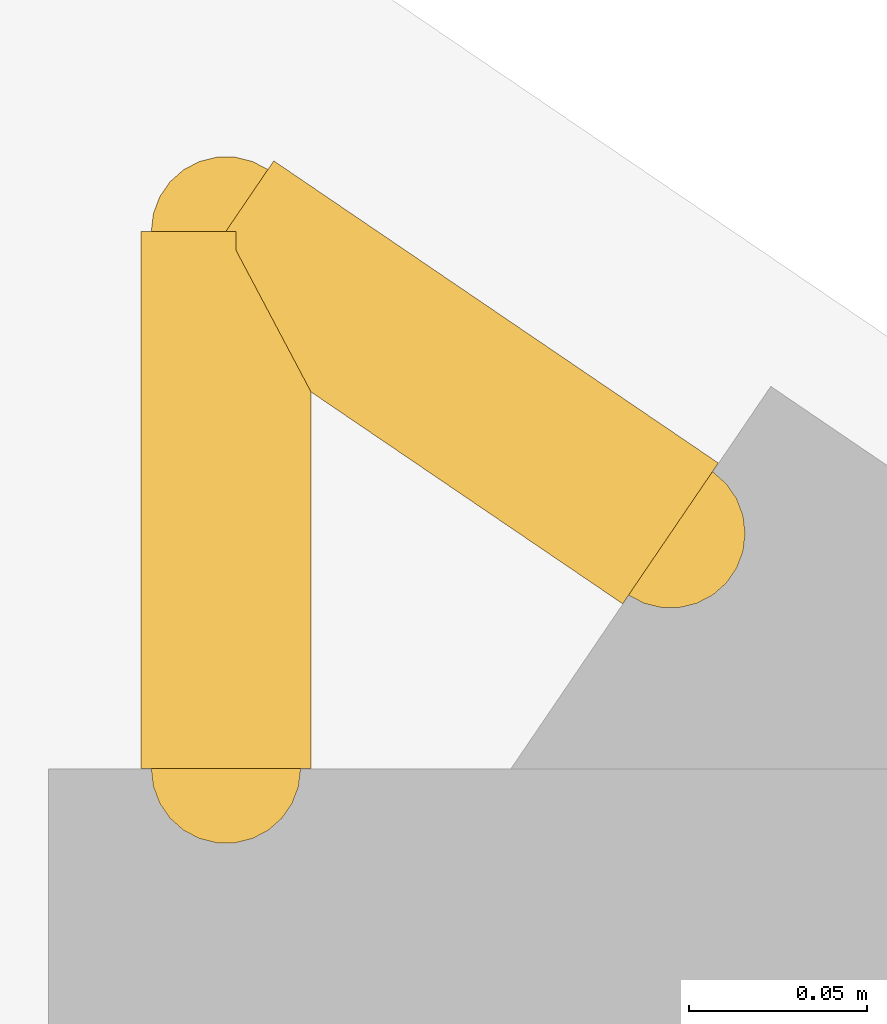
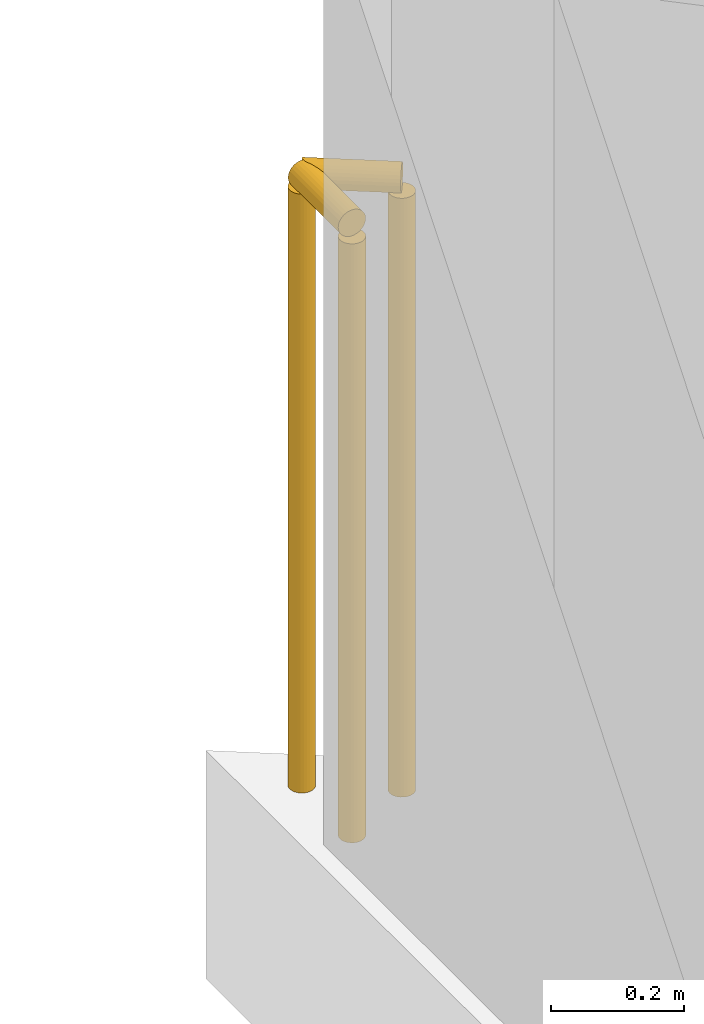
# One storey, part 19 of 20: 2 railings.
"""IFC4 building model written with IfcOpenShell, lengths in metres."""

from ifc_helpers import new_model, si_unit, direction, frame, origin, origin_2d, place, context, subcontext, project, spatial, circle, extrude, material, type_object, element, save


model = new_model("IFC4")

# Units and contexts
model_context = context("Model", 3, precision=1e-05, world=origin(), true_north=direction((0.0, 1.0)))
body_context = subcontext(model_context, "Body", "Model", "MODEL_VIEW")
ifc_project = project(units=[si_unit("LENGTHUNIT", "METRE"), si_unit("AREAUNIT", "SQUARE_METRE"), si_unit("VOLUMEUNIT", "CUBIC_METRE"), si_unit("PLANEANGLEUNIT", "RADIAN"), si_unit("MASSUNIT", "GRAM", prefix="KILO")], contexts=[model_context])

# Site, building, storey
site_placement = place(None, origin())
site = spatial("IfcSite", under=ifc_project, at=site_placement, CompositionType="ELEMENT")
building_placement = place(site_placement, origin())
building = spatial("IfcBuilding", under=site, at=building_placement, Name="Varnakote Quay Hospital", CompositionType="ELEMENT")
storey_placement = place(building_placement, frame((0.0, 0.0, 22.5)))
storey = spatial("IfcBuildingStorey", under=building, at=storey_placement, Name="L05", CompositionType="ELEMENT", Elevation=22.5)

# Railings
ifc_material = material(Name="Anodised aluminium 6063-T6 Bronze", Category="aluminium")
railing_type = type_object("IfcRailingType", Name="RLG-EXT-GUARD-1150", PredefinedType="GUARDRAIL", material=ifc_material)
railing_1_placement = place(storey_placement, frame((2.679931640625, 43.497802734375, 0.0)))
element("IfcRailing", 1, at=railing_1_placement, inside=storey, type_object=railing_type, Name="L05 Slab Edge Perimeter Safety Guard", PredefinedType="GUARDRAIL", context=body_context, shape_type="SweptSolid", body=[
    extrude(circle(Radius=0.02392578125, at=origin_2d()), frame((0.0, 0.0, 1.1259765625), z_axis=(0.0, 1.0, 0.0), x_axis=(-1.0, 0.0, 0.0)), (0.0, 0.0, 1.0), 0.151123046875),
    extrude(circle(Radius=0.02099609375, at=origin_2d()), origin(), (0.0, 0.0, 1.0), 1.101806640625),
    extrude(circle(Radius=0.02099609375, at=origin_2d()), frame((0.0, 0.151123046875, 0.0)), (0.0, 0.0, 1.0), 1.101806640625),
])
railing_2_placement = place(storey_placement, frame((2.679931640625, 43.64892578125, 0.0)))
element("IfcRailing", 2, at=railing_2_placement, inside=storey, type_object=railing_type, Name="L05 Slab Edge Perimeter Safety Guard", PredefinedType="GUARDRAIL", context=body_context, shape_type="SweptSolid", body=[
    extrude(circle(Radius=0.02392578125, at=origin_2d()), frame((0.0, 0.0, 1.1259765625), z_axis=(0.827046660574, -0.562133277109, 0.0), x_axis=(0.562133277109, 0.827046660574, 0.0)), (0.0, 0.0, 1.0), 0.151123046875),
    extrude(circle(Radius=0.02099609375, at=origin_2d()), origin(), (0.0, 0.0, 1.0), 1.101806640625),
    extrude(circle(Radius=0.02099609375, at=origin_2d()), frame((0.125, -0.0849609375, 0.0)), (0.0, 0.0, 1.0), 1.101806640625),
])

save(model, "model.ifc")
